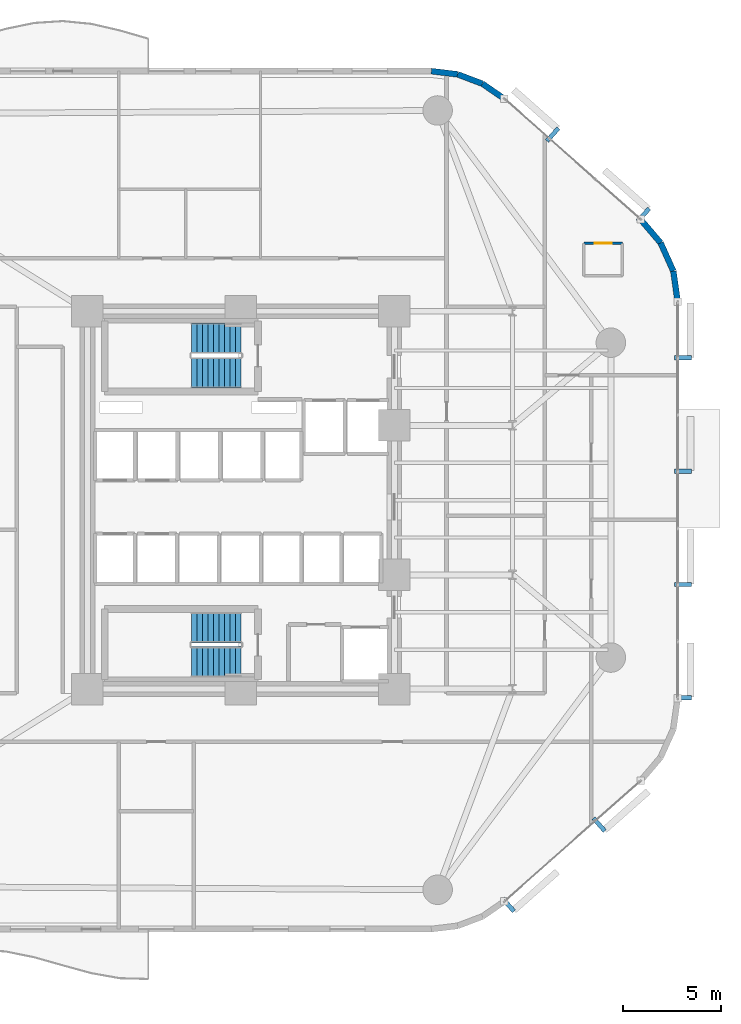
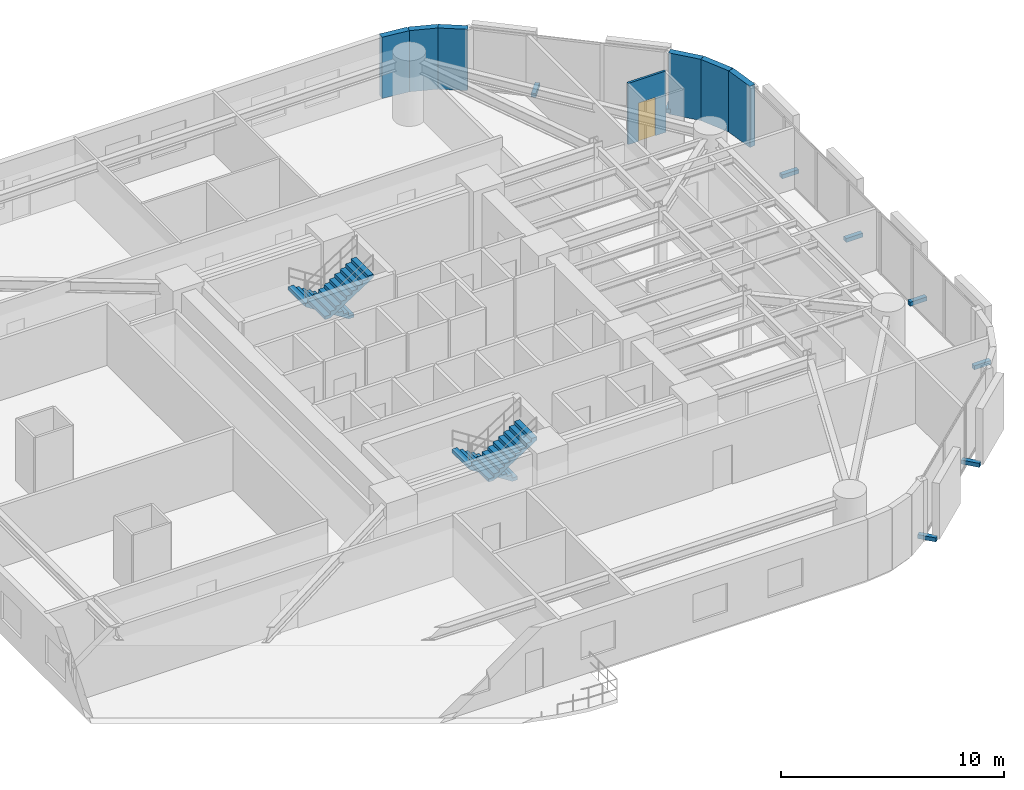
# One storey, part 13 of 16: 8 discrete accessories, 7 walls, 4 stair flights, 1 door, 1 opening, 2 elements without a shape of their own.
"""IFC4 building model written with IfcOpenShell, lengths in metres."""

from ifc_helpers import new_model, si_unit, direction, frame, frame_2d, origin, origin_2d, place, context, subcontext, project, spatial, polyline, rectangle, outline, extrude, material, layer, layer_set, type_object, element, fill, aggregate, save


model = new_model("IFC4")

# Units and contexts
model_context = context("Model", 3, precision=1e-05, world=origin(), true_north=direction((0.0, 1.0)))
body_context = subcontext(model_context, "Body", "Model", "MODEL_VIEW")
ifc_project = project(units=[si_unit("LENGTHUNIT", "METRE"), si_unit("AREAUNIT", "SQUARE_METRE"), si_unit("VOLUMEUNIT", "CUBIC_METRE"), si_unit("PLANEANGLEUNIT", "RADIAN"), si_unit("MASSUNIT", "GRAM", prefix="KILO")], contexts=[model_context])

# Site, building, storey
site_placement = place(None, origin())
site = spatial("IfcSite", under=ifc_project, at=site_placement, CompositionType="ELEMENT")
building_placement = place(site_placement, origin())
building = spatial("IfcBuilding", under=site, at=building_placement, Name="An Khanh Terracotta Commons", CompositionType="ELEMENT")
storey_placement = place(building_placement, frame((0.0, 0.0, 72.0)))
storey = spatial("IfcBuildingStorey", under=building, at=storey_placement, Name="L19", CompositionType="ELEMENT", Elevation=72.0)

# Walls
ifc_material_1 = material(Name="Precast concrete C40/50", Category="concrete")
ifc_layer_1 = layer(ifc_material_1, 0.300048828125, Name="Precast concrete C40/50")
ifc_layer_set_1 = layer_set([ifc_layer_1], Name="Precast concrete C40/50")
wall_type_1 = type_object("IfcWallType", Name="WALL-EXT-300", PredefinedType="SOLIDWALL", material=ifc_layer_set_1)
wall_1_placement = place(storey_placement, frame((51.60009765625, 34.076904296875, 0.0), z_axis=(0.0, 0.0, 1.0), x_axis=(-0.140380048512, 0.990097693149, 0.0)))
element("IfcWall", 1, at=wall_1_placement, inside=storey, type_object=wall_type_1, Name="L19 Insulated Terracotta Exterior Wall 13", PredefinedType="SOLIDWALL", context=body_context, shape_type="SweptSolid", body=[
    extrude(rectangle(XDim=1.57568359375, YDim=0.300048828125, at=frame_2d((0.787841796875, 0.0))), origin(), (0.0, 0.0, 1.0), 3.360107421875),
])
wall_2_placement = place(storey_placement, frame((51.37890625, 35.636962890625, 0.0), z_axis=(0.0, 0.0, 1.0), x_axis=(-0.410996558744, 0.911636895206, 0.0)))
element("IfcWall", 2, at=wall_2_placement, inside=storey, type_object=wall_type_1, Name="L19 Insulated Terracotta Exterior Wall 14", PredefinedType="SOLIDWALL", context=body_context, shape_type="SweptSolid", body=[
    extrude(rectangle(XDim=1.57421875, YDim=0.300048828125, at=frame_2d((0.787109375, 0.0))), origin(), (0.0, 0.0, 1.0), 3.360107421875),
])
wall_3_placement = place(storey_placement, frame((50.73193359375, 37.072021484375, 0.0), z_axis=(0.0, 0.0, 1.0), x_axis=(-0.648389989909, 0.7613083613, 0.0)))
element("IfcWall", 3, at=wall_3_placement, inside=storey, type_object=wall_type_1, Name="L19 Insulated Terracotta Exterior Wall 15", PredefinedType="SOLIDWALL", context=body_context, shape_type="SweptSolid", body=[
    extrude(rectangle(XDim=1.576171875, YDim=0.300048828125, at=frame_2d((0.7880859375, 0.0))), origin(), (0.0, 0.0, 1.0), 3.360107421875),
])
wall_4_placement = place(storey_placement, frame((42.7890625, 44.39404296875, 0.0), z_axis=(0.0, 0.0, 1.0), x_axis=(-0.823116500192, 0.567872544777, 0.0)))
element("IfcWall", 4, at=wall_4_placement, inside=storey, type_object=wall_type_1, Name="L19 Insulated Terracotta Exterior Wall 17", PredefinedType="SOLIDWALL", context=body_context, shape_type="SweptSolid", body=[
    extrude(rectangle(XDim=1.3486328125, YDim=0.300048828125, at=frame_2d((0.67431640625, 0.0))), origin(), (0.0, 0.0, 1.0), 3.360107421875),
])
wall_5_placement = place(storey_placement, frame((41.678955078125, 45.159912109375, 0.0), z_axis=(0.0, 0.0, 1.0), x_axis=(-0.935156721165, 0.354234254216, 0.0)))
element("IfcWall", 5, at=wall_5_placement, inside=storey, type_object=wall_type_1, Name="L19 Insulated Terracotta Exterior Wall 18", PredefinedType="SOLIDWALL", context=body_context, shape_type="SweptSolid", body=[
    extrude(rectangle(XDim=1.349365234375, YDim=0.300048828125, at=frame_2d((0.6748046875, 0.0))), origin(), (0.0, 0.0, 1.0), 3.360107421875),
])
wall_6_placement = place(storey_placement, frame((40.4169921875, 45.637939453125, 0.0), z_axis=(0.0, 0.0, 1.0), x_axis=(-0.992739027259, 0.120288086515, 0.0)))
element("IfcWall", 6, at=wall_6_placement, inside=storey, type_object=wall_type_1, Name="L19 Insulated Terracotta Exterior Wall 19", PredefinedType="SOLIDWALL", context=body_context, shape_type="SweptSolid", body=[
    extrude(rectangle(XDim=1.34765625, YDim=0.300048828125, at=frame_2d((0.673828125, 0.0))), origin(), (0.0, 0.0, 1.0), 3.360107421875),
])

# Wall, opening, door
ifc_material_2 = material(Name="Moisture-Resistant Cement Board Partition")
ifc_layer_2 = layer(ifc_material_2, 0.1201171875, Name="Moisture-Resistant Cement Board Partition")
ifc_layer_set_2 = layer_set([ifc_layer_2], Name="Moisture-Resistant Cement Board Partition")
wall_type_2 = type_object("IfcWallType", Name="WALL-WET-120", PredefinedType="PARTITIONING", material=ifc_layer_set_2)
wall_7_placement = place(storey_placement, frame((46.83203125, 37.048095703125, 0.0), z_axis=(0.0, 0.0, 1.0), x_axis=(1.0, 0.0, 0.0)))
wall_7 = element("IfcWall", 7, at=wall_7_placement, inside=storey, type_object=wall_type_2, Name="L19 Interior Partition IW-L19-NCAP-BN", PredefinedType="PARTITIONING", context=body_context, shape_type="SweptSolid", body=[
    extrude(rectangle(XDim=1.949951171875, YDim=0.1201171875, at=frame_2d((0.97509765625, 0.0))), origin(), (0.0, 0.0, 1.0), 3.360107421875),
])
opening_placement = place(wall_7_placement, frame((0.544921875, 0.0, 0.0)))
opening = element("IfcOpeningElement", 8, at=opening_placement, cuts=wall_7, Name="Opening D-ENS", PredefinedType="OPENING", context=body_context, shape_type="SweptSolid", body=[
    extrude(rectangle(XDim=0.860107421875, YDim=2.10009765625, at=frame_2d((0.43017578125, 1.050048828125))), frame((0.0, 0.070068359375, 0.0), z_axis=(0.0, -1.0, 0.0), x_axis=(1.0, 0.0, 0.0)), (0.0, 0.0, 1.0), 0.14013671875),
])
ifc_material_3 = material(Name="Moisture-Resistant Hardwood Timber Leaf", Category="wood")
door_type = type_object("IfcDoorType", Name="DOOR-BATH-860", OperationType="NOTDEFINED", PredefinedType="DOOR", material=ifc_material_3)
door_placement = place(opening_placement, origin())
door = element("IfcDoor", 9, at=door_placement, inside=storey, type_object=door_type, Name="L19 Studio NCAP En-suite Door", OperationType="SINGLE_SWING_RIGHT", OverallHeight=2.10009765625, OverallWidth=0.860107421875, PredefinedType="DOOR", context=body_context, shape_type="SweptSolid", body=[
    extrude(rectangle(XDim=0.860107421875, YDim=2.10009765625, at=frame_2d((0.43017578125, 1.050048828125))), frame((0.0, 0.02490234375, 0.0), z_axis=(0.0, -1.0, 0.0), x_axis=(1.0, 0.0, 0.0)), (0.0, 0.0, 1.0), 0.050048828125),
])
fill(opening, door)

# Stair, stair flights
stair_type = type_object("IfcStairType", Name="STAIR-CORE-1550", PredefinedType="HALF_TURN_STAIR", material=ifc_material_1)
stair_1_placement = place(storey_placement, origin())
stair_1 = element("IfcStair", 10, at=stair_1_placement, inside=storey, type_object=stair_type, Name="L19 Core Smokeproof Exit Stair ST-01", PredefinedType="HALF_TURN_STAIR")
stair_flight_type = type_object("IfcStairFlightType", Name="FLIGHT-CORE-1550", PredefinedType="STRAIGHT", material=ifc_material_1)
stair_flight_1_placement = place(storey_placement, frame((29.409912109375, 32.22509765625, 0.0), z_axis=(0.0, 0.0, 1.0), x_axis=(-1.0, 0.0, 0.0)))
stair_flight_1 = element("IfcStairFlight", 11, at=stair_flight_1_placement, type_object=stair_flight_type, Name="ST-01 flight 1", NumberOfRisers=10, NumberOfTreads=9, PredefinedType="STRAIGHT", RiserHeight=0.18, TreadLength=0.28, context=body_context, shape_type="SweptSolid", body=[
    extrude(outline(polyline([(0.0, 0.0), (0.0, 0.179931640625), (0.280029296875, 0.179931640625), (0.280029296875, 0.360107421875), (0.56005859375, 0.360107421875), (0.56005859375, 0.5400390625), (0.840087890625, 0.5400390625), (0.840087890625, 0.719970703125), (1.1201171875, 0.719970703125), (1.1201171875, 0.89990234375), (1.39990234375, 0.89990234375), (1.39990234375, 1.080078125), (1.679931640625, 1.080078125), (1.679931640625, 1.260009765625), (1.9599609375, 1.260009765625), (1.9599609375, 1.43994140625), (2.239990234375, 1.43994140625), (2.239990234375, 1.6201171875), (2.52001953125, 1.6201171875), (2.52001953125, 1.800048828125), (2.52001953125, 1.44189453125), (0.277099609375, 0.0), (0.0, 0.0)])), frame((0.0, 0.77490234375, 0.0), z_axis=(0.0, -1.0, 0.0), x_axis=(1.0, 0.0, 0.0)), (0.0, 0.0, 1.0), 1.550048828125),
])
stair_flight_2_placement = place(storey_placement, frame((26.889892578125, 30.47509765625, 1.800048828125), z_axis=(0.0, 0.0, 1.0), x_axis=(1.0, 0.0, 0.0)))
stair_flight_2 = element("IfcStairFlight", 12, at=stair_flight_2_placement, type_object=stair_flight_type, Name="ST-01 flight 2", NumberOfRisers=10, NumberOfTreads=9, PredefinedType="STRAIGHT", RiserHeight=0.18, TreadLength=0.28, context=body_context, shape_type="SweptSolid", body=[
    extrude(outline(polyline([(0.0, 0.0), (0.0, 0.179931640625), (0.280029296875, 0.179931640625), (0.280029296875, 0.360107421875), (0.56005859375, 0.360107421875), (0.56005859375, 0.5400390625), (0.840087890625, 0.5400390625), (0.840087890625, 0.719970703125), (1.1201171875, 0.719970703125), (1.1201171875, 0.89990234375), (1.39990234375, 0.89990234375), (1.39990234375, 1.080078125), (1.679931640625, 1.080078125), (1.679931640625, 1.260009765625), (1.9599609375, 1.260009765625), (1.9599609375, 1.43994140625), (2.239990234375, 1.43994140625), (2.239990234375, 1.6201171875), (2.52001953125, 1.6201171875), (2.52001953125, 1.800048828125), (2.52001953125, 1.44189453125), (0.277099609375, 0.0), (0.0, 0.0)])), frame((0.0, 0.77490234375, 0.0), z_axis=(0.0, -1.0, 0.0), x_axis=(1.0, 0.0, 0.0)), (0.0, 0.0, 1.0), 1.550048828125),
])
aggregate(stair_1, [stair_flight_1, stair_flight_2])

stair_2_placement = place(storey_placement, origin())
stair_2 = element("IfcStair", 13, at=stair_2_placement, inside=storey, type_object=stair_type, Name="L19 Core Smokeproof Exit Stair ST-02", PredefinedType="HALF_TURN_STAIR")
stair_flight_3_placement = place(storey_placement, frame((29.409912109375, 17.52490234375, 0.0), z_axis=(0.0, 0.0, 1.0), x_axis=(-1.0, 0.0, 0.0)))
stair_flight_3 = element("IfcStairFlight", 14, at=stair_flight_3_placement, type_object=stair_flight_type, Name="ST-02 flight 1", NumberOfRisers=10, NumberOfTreads=9, PredefinedType="STRAIGHT", RiserHeight=0.18, TreadLength=0.28, context=body_context, shape_type="SweptSolid", body=[
    extrude(outline(polyline([(0.0, 0.0), (0.0, 0.179931640625), (0.280029296875, 0.179931640625), (0.280029296875, 0.360107421875), (0.56005859375, 0.360107421875), (0.56005859375, 0.5400390625), (0.840087890625, 0.5400390625), (0.840087890625, 0.719970703125), (1.1201171875, 0.719970703125), (1.1201171875, 0.89990234375), (1.39990234375, 0.89990234375), (1.39990234375, 1.080078125), (1.679931640625, 1.080078125), (1.679931640625, 1.260009765625), (1.9599609375, 1.260009765625), (1.9599609375, 1.43994140625), (2.239990234375, 1.43994140625), (2.239990234375, 1.6201171875), (2.52001953125, 1.6201171875), (2.52001953125, 1.800048828125), (2.52001953125, 1.44189453125), (0.277099609375, 0.0), (0.0, 0.0)])), frame((0.0, 0.77490234375, 0.0), z_axis=(0.0, -1.0, 0.0), x_axis=(1.0, 0.0, 0.0)), (0.0, 0.0, 1.0), 1.550048828125),
])
stair_flight_4_placement = place(storey_placement, frame((26.889892578125, 15.77490234375, 1.800048828125), z_axis=(0.0, 0.0, 1.0), x_axis=(1.0, 0.0, 0.0)))
stair_flight_4 = element("IfcStairFlight", 15, at=stair_flight_4_placement, type_object=stair_flight_type, Name="ST-02 flight 2", NumberOfRisers=10, NumberOfTreads=9, PredefinedType="STRAIGHT", RiserHeight=0.18, TreadLength=0.28, context=body_context, shape_type="SweptSolid", body=[
    extrude(outline(polyline([(0.0, 0.0), (0.0, 0.179931640625), (0.280029296875, 0.179931640625), (0.280029296875, 0.360107421875), (0.56005859375, 0.360107421875), (0.56005859375, 0.5400390625), (0.840087890625, 0.5400390625), (0.840087890625, 0.719970703125), (1.1201171875, 0.719970703125), (1.1201171875, 0.89990234375), (1.39990234375, 0.89990234375), (1.39990234375, 1.080078125), (1.679931640625, 1.080078125), (1.679931640625, 1.260009765625), (1.9599609375, 1.260009765625), (1.9599609375, 1.43994140625), (2.239990234375, 1.43994140625), (2.239990234375, 1.6201171875), (2.52001953125, 1.6201171875), (2.52001953125, 1.800048828125), (2.52001953125, 1.44189453125), (0.277099609375, 0.0), (0.0, 0.0)])), frame((0.0, 0.77490234375, 0.0), z_axis=(0.0, -1.0, 0.0), x_axis=(1.0, 0.0, 0.0)), (0.0, 0.0, 1.0), 1.550048828125),
])
aggregate(stair_2, [stair_flight_3, stair_flight_4])

# Discrete accessories
ifc_material_4 = material(Name="Stainless Steel Grade 316L", Category="steel")
discrete_accessory_type = type_object("IfcDiscreteAccessoryType", Name="Stainless Outrigger Facade Bracket", PredefinedType="BRACKET", material=ifc_material_4)
for number, where, z_axis, x_axis, name in (
    (16, (42.990966796875, 3.430908203125, 0.06982421875), (0.0, 0.0, 1.0), (0.749019284633, 0.662548195415, 0.0), "L19 Terracotta Screen Outrigger Bracket 1"),
    (17, (47.60498046875, 7.511962890625, 0.06982421875), (0.0, 0.0, 1.0), (0.749019284633, 0.662548195415, 0.0), "L19 Terracotta Screen Outrigger Bracket 3"),
    (18, (51.864990234375, 13.9580078125, 0.06982421875), (0.0, 0.0, 1.0), (0.0, 1.0, 0.0), "L19 Terracotta Screen Outrigger Bracket 1"),
    (19, (51.864990234375, 19.716064453125, 0.06982421875), (0.0, 0.0, 1.0), (0.0, 1.0, 0.0), "L19 Terracotta Screen Outrigger Bracket 3"),
    (20, (51.864990234375, 25.47509765625, 0.06982421875), (0.0, 0.0, 1.0), (0.0, 1.0, 0.0), "L19 Terracotta Screen Outrigger Bracket 5"),
    (21, (51.864990234375, 31.23291015625, 0.06982421875), (0.0, 0.0, 1.0), (0.0, 1.0, 0.0), "L19 Terracotta Screen Outrigger Bracket 7"),
    (22, (49.85888671875, 38.493896484375, 0.06982421875), (0.0, 0.0, 1.0), (-0.749019284633, 0.662548195415, 0.0), "L19 Terracotta Screen Outrigger Bracket 1"),
    (23, (45.2451171875, 42.574951171875, 0.06982421875), (0.0, 0.0, 1.0), (-0.749019284633, 0.662548195415, 0.0), "L19 Terracotta Screen Outrigger Bracket 3"),
):
    element("IfcDiscreteAccessory", number, at=place(storey_placement, frame(where, z_axis=z_axis, x_axis=x_axis)), inside=storey, type_object=discrete_accessory_type, Name=name, PredefinedType="BRACKET", context=body_context, shape_type="SweptSolid", body=[
        extrude(rectangle(XDim=0.219970703125, YDim=0.8701171875, at=origin_2d()), origin(), (0.0, 0.0, 1.0), 0.219970703125),
    ])

save(model, "model.ifc")
